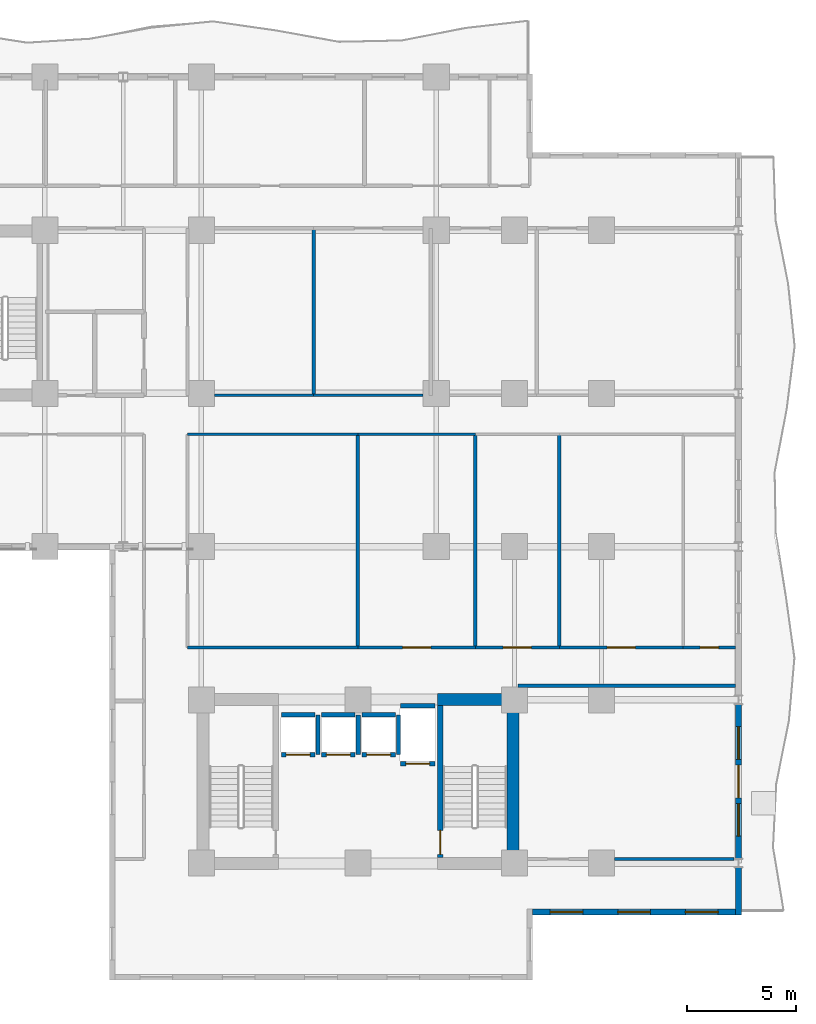
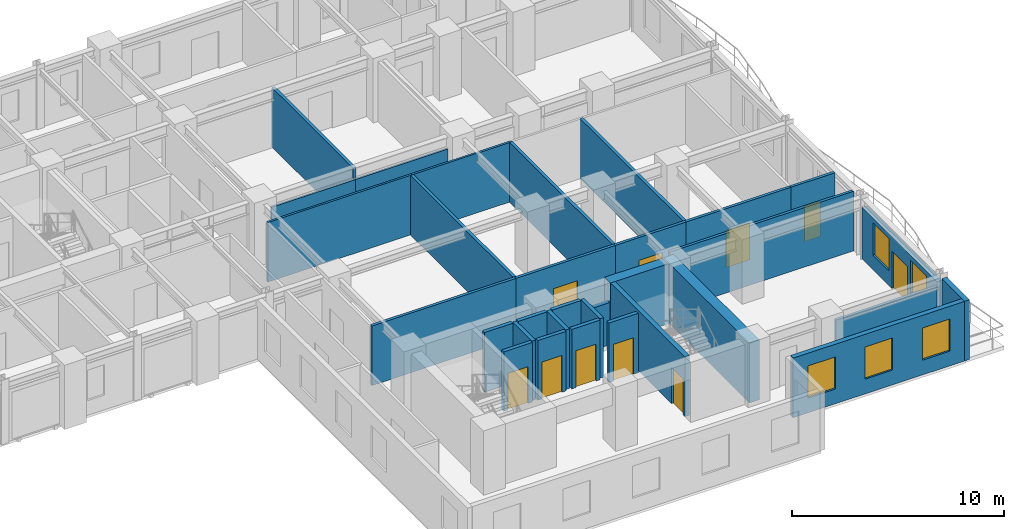
# One storey, part 5 of 11: 32 walls, 10 doors, 5 windows, 15 openings.
"""IFC4 building model written with IfcOpenShell, lengths in metres."""

from ifc_helpers import new_model, si_unit, direction, frame, frame_2d, origin, place, context, subcontext, project, spatial, rectangle, extrude, material, layer, layer_set, type_object, element, fill, save


model = new_model("IFC4")

# Units and contexts
model_context = context("Model", 3, precision=1e-05, world=origin(), true_north=direction((0.0, 1.0)))
body_context = subcontext(model_context, "Body", "Model", "MODEL_VIEW")
ifc_project = project(units=[si_unit("LENGTHUNIT", "METRE"), si_unit("AREAUNIT", "SQUARE_METRE"), si_unit("VOLUMEUNIT", "CUBIC_METRE"), si_unit("PLANEANGLEUNIT", "RADIAN"), si_unit("MASSUNIT", "GRAM", prefix="KILO")], contexts=[model_context])

# Site, building, storey
site_placement = place(None, origin())
site = spatial("IfcSite", under=ifc_project, at=site_placement, CompositionType="ELEMENT")
building_placement = place(site_placement, origin())
building = spatial("IfcBuilding", under=site, at=building_placement, Name="Kaliganga Portal Commons", CompositionType="ELEMENT")
storey_placement = place(building_placement, frame((0.0, 0.0, 111.89990234375)))
storey = spatial("IfcBuildingStorey", under=building, at=storey_placement, Name="L28", CompositionType="ELEMENT", Elevation=111.89990234375)

# Walls
ifc_material_1 = material(Name="Concrete C60/75", Category="concrete")
ifc_layer_1 = layer(ifc_material_1, 0.550048828125)
ifc_layer_set_1 = layer_set([ifc_layer_1], Name="Concrete C60/75")
wall_type_1 = type_object("IfcWallType", Name="WL-CORE-550", PredefinedType="SHEAR", material=ifc_layer_set_1)
wall_1_placement = place(storey_placement, frame((50.324951171875, 6.75, 0.0), z_axis=(0.0, 0.0, 1.0), x_axis=(0.0, 1.0, 0.0)))
element("IfcWall", 1, at=wall_1_placement, inside=storey, type_object=wall_type_1, Name="Core B East Shear Wall L28", PredefinedType="SHEAR", context=body_context, shape_type="SweptSolid", body=[
    extrude(rectangle(XDim=8.10009765625, YDim=0.550048828125, at=frame_2d((4.050048828125, 0.0))), origin(), (0.0, 0.0, 1.0), 3.4501953125),
])
wall_2_placement = place(storey_placement, frame((46.85009765625, 14.574951171875, 0.0), z_axis=(0.0, 0.0, 1.0), x_axis=(1.0, 0.0, 0.0)))
element("IfcWall", 2, at=wall_2_placement, inside=storey, type_object=wall_type_1, Name="Core B N-East Shear Wall L28", PredefinedType="SHEAR", context=body_context, shape_type="SweptSolid", body=[
    extrude(rectangle(XDim=3.199951171875, YDim=0.550048828125, at=frame_2d((1.60009765625, 0.0))), origin(), (0.0, 0.0, 1.0), 3.4501953125),
])

# Wall, openings, windows
ifc_material_2 = material(Name="Insulated Aluminium-Clad Spandrel Assembly", Category="aluminium")
ifc_layer_2 = layer(ifc_material_2, 0.260009765625)
ifc_layer_set_2 = layer_set([ifc_layer_2], Name="Insulated Aluminium-Clad Spandrel Assembly")
wall_type_2 = type_object("IfcWallType", Name="WL-EXT-SPAND-260", PredefinedType="STANDARD", material=ifc_layer_set_2)
wall_3_placement = place(storey_placement, frame((60.56494140625, 4.800048828125, 0.0), z_axis=(0.0, 0.0, 1.0), x_axis=(-1.0, 0.0, 0.0)))
wall_3 = element("IfcWall", 3, at=wall_3_placement, inside=storey, type_object=wall_type_2, Name="Exterior Envelope Wall L28 P1-E02-S1", PredefinedType="STANDARD", context=body_context, shape_type="SweptSolid", body=[
    extrude(rectangle(XDim=9.329833984375, YDim=0.260009765625, at=frame_2d((4.6650390625, 0.0))), origin(), (0.0, 0.0, 1.0), 3.43017578125),
])
opening_1_placement = place(wall_3_placement, frame((0.804931640625, 0.0, 0.85009765625)))
opening_1 = element("IfcOpeningElement", 4, at=opening_1_placement, cuts=wall_3, Name="Opening W-02", PredefinedType="OPENING", context=body_context, shape_type="SweptSolid", body=[
    extrude(rectangle(XDim=1.5, YDim=1.85009765625, at=frame_2d((0.75, 0.925048828125))), frame((0.0, 0.14013671875, 0.0), z_axis=(0.0, -1.0, 0.0), x_axis=(1.0, 0.0, 0.0)), (0.0, 0.0, 1.0), 0.280029296875),
])
opening_2_placement = place(wall_3_placement, frame((3.9150390625, 0.0, 0.85009765625)))
opening_2 = element("IfcOpeningElement", 5, at=opening_2_placement, cuts=wall_3, Name="Opening W-02", PredefinedType="OPENING", context=body_context, shape_type="SweptSolid", body=[
    extrude(rectangle(XDim=1.5, YDim=1.85009765625, at=frame_2d((0.75, 0.925048828125))), frame((0.0, 0.14013671875, 0.0), z_axis=(0.0, -1.0, 0.0), x_axis=(1.0, 0.0, 0.0)), (0.0, 0.0, 1.0), 0.280029296875),
])
opening_3_placement = place(wall_3_placement, frame((7.02490234375, 0.0, 0.85009765625)))
opening_3 = element("IfcOpeningElement", 6, at=opening_3_placement, cuts=wall_3, Name="Opening W-02", PredefinedType="OPENING", context=body_context, shape_type="SweptSolid", body=[
    extrude(rectangle(XDim=1.5, YDim=1.85009765625, at=frame_2d((0.75, 0.925048828125))), frame((0.0, 0.14013671875, 0.0), z_axis=(0.0, -1.0, 0.0), x_axis=(1.0, 0.0, 0.0)), (0.0, 0.0, 1.0), 0.280029296875),
])
ifc_material_3 = material(Name="Thermally Broken Aluminium and Low-E Double Glazing", Category="aluminium")
window_type = type_object("IfcWindowType", Name="WIN-STD-1500", PartitioningType="DOUBLE_PANEL_VERTICAL", PredefinedType="WINDOW", material=ifc_material_3)
window_1_placement = place(opening_1_placement, origin())
window_1 = element("IfcWindow", 7, at=window_1_placement, inside=storey, type_object=window_type, Name="Facade Window L28-P1E02S1-00", OverallHeight=1.85009765625, OverallWidth=1.5, PartitioningType="SINGLE_PANEL", PredefinedType="WINDOW", context=body_context, shape_type="SweptSolid", body=[
    extrude(rectangle(XDim=1.5, YDim=1.85009765625, at=frame_2d((0.75, 0.925048828125))), frame((0.0, 0.030029296875, 0.0), z_axis=(0.0, -1.0, 0.0), x_axis=(1.0, 0.0, 0.0)), (0.0, 0.0, 1.0), 0.06005859375),
])
fill(opening_1, window_1)
window_2_placement = place(opening_2_placement, origin())
window_2 = element("IfcWindow", 8, at=window_2_placement, inside=storey, type_object=window_type, Name="Facade Window L28-P1E02S1-01", OverallHeight=1.85009765625, OverallWidth=1.5, PartitioningType="SINGLE_PANEL", PredefinedType="WINDOW", context=body_context, shape_type="SweptSolid", body=[
    extrude(rectangle(XDim=1.5, YDim=1.85009765625, at=frame_2d((0.75, 0.925048828125))), frame((0.0, 0.030029296875, 0.0), z_axis=(0.0, -1.0, 0.0), x_axis=(1.0, 0.0, 0.0)), (0.0, 0.0, 1.0), 0.06005859375),
])
fill(opening_2, window_2)
window_3_placement = place(opening_3_placement, origin())
window_3 = element("IfcWindow", 9, at=window_3_placement, inside=storey, type_object=window_type, Name="Facade Window L28-P1E02S1-02", OverallHeight=1.85009765625, OverallWidth=1.5, PartitioningType="SINGLE_PANEL", PredefinedType="WINDOW", context=body_context, shape_type="SweptSolid", body=[
    extrude(rectangle(XDim=1.5, YDim=1.85009765625, at=frame_2d((0.75, 0.925048828125))), frame((0.0, 0.030029296875, 0.0), z_axis=(0.0, -1.0, 0.0), x_axis=(1.0, 0.0, 0.0)), (0.0, 0.0, 1.0), 0.06005859375),
])
fill(opening_3, window_3)

# Wall
wall_4_placement = place(storey_placement, frame((60.699951171875, 6.833984375, 0.0), z_axis=(0.0, 0.0, 1.0), x_axis=(0.0, -1.0, 0.0)))
element("IfcWall", 10, at=wall_4_placement, inside=storey, type_object=wall_type_2, Name="Exterior Envelope Wall L28 P1-E03-S1", PredefinedType="STANDARD", context=body_context, shape_type="SweptSolid", body=[
    extrude(rectangle(XDim=2.1640625, YDim=0.260009765625, at=frame_2d((1.08203125, 0.0))), origin(), (0.0, 0.0, 1.0), 3.43017578125),
])

# Wall, openings, door, windows
wall_5_placement = place(storey_placement, frame((60.699951171875, 14.333984375, 0.0), z_axis=(0.0, 0.0, 1.0), x_axis=(0.0, -1.0, 0.0)))
wall_5 = element("IfcWall", 11, at=wall_5_placement, inside=storey, type_object=wall_type_2, Name="Exterior Envelope Wall L28 P1-E03-S2", PredefinedType="STANDARD", context=body_context, shape_type="SweptSolid", body=[
    extrude(rectangle(XDim=7.06787109375, YDim=0.260009765625, at=frame_2d((3.533935546875, 0.0))), origin(), (0.0, 0.0, 1.0), 2.97998046875),
])
opening_4_placement = place(wall_5_placement, frame((2.783935546875, 0.0, 0.0)))
opening_4 = element("IfcOpeningElement", 12, at=opening_4_placement, cuts=wall_5, Name="Opening BD-01", PredefinedType="OPENING", context=body_context, shape_type="SweptSolid", body=[
    extrude(rectangle(XDim=1.5, YDim=2.14990234375, at=frame_2d((0.75, 1.074951171875))), frame((0.0, 0.14013671875, 0.0), z_axis=(0.0, -1.0, 0.0), x_axis=(1.0, 0.0, 0.0)), (0.0, 0.0, 1.0), 0.280029296875),
])
opening_5_placement = place(wall_5_placement, frame((1.01708984375, 0.0, 0.85009765625)))
opening_5 = element("IfcOpeningElement", 13, at=opening_5_placement, cuts=wall_5, Name="Opening W-02", PredefinedType="OPENING", context=body_context, shape_type="SweptSolid", body=[
    extrude(rectangle(XDim=1.5, YDim=1.85009765625, at=frame_2d((0.75, 0.925048828125))), frame((0.0, 0.14013671875, 0.0), z_axis=(0.0, -1.0, 0.0), x_axis=(1.0, 0.0, 0.0)), (0.0, 0.0, 1.0), 0.280029296875),
])
opening_6_placement = place(wall_5_placement, frame((4.551025390625, 0.0, 0.85009765625)))
opening_6 = element("IfcOpeningElement", 14, at=opening_6_placement, cuts=wall_5, Name="Opening W-02", PredefinedType="OPENING", context=body_context, shape_type="SweptSolid", body=[
    extrude(rectangle(XDim=1.5, YDim=1.85009765625, at=frame_2d((0.75, 0.925048828125))), frame((0.0, 0.14013671875, 0.0), z_axis=(0.0, -1.0, 0.0), x_axis=(1.0, 0.0, 0.0)), (0.0, 0.0, 1.0), 0.280029296875),
])
ifc_material_4 = material(Name="Anodized Aluminium and Laminated Safety Glass", Category="aluminium")
door_type_1 = type_object("IfcDoorType", Name="DR-BALC-1500", OperationType="SLIDING_TO_LEFT", PredefinedType="DOOR", material=ifc_material_4)
door_1_placement = place(opening_4_placement, origin())
door_1 = element("IfcDoor", 15, at=door_1_placement, inside=storey, type_object=door_type_1, Name="Balcony Sliding Door L28 balc_east", OperationType="SLIDING_TO_LEFT", OverallHeight=2.14990234375, OverallWidth=1.5, PredefinedType="DOOR", context=body_context, shape_type="SweptSolid", body=[
    extrude(rectangle(XDim=1.5, YDim=2.14990234375, at=frame_2d((0.75, 1.074951171875))), frame((0.0, 0.02490234375, 0.0), z_axis=(0.0, -1.0, 0.0), x_axis=(1.0, 0.0, 0.0)), (0.0, 0.0, 1.0), 0.050048828125),
])
fill(opening_4, door_1)
window_4_placement = place(opening_5_placement, origin())
window_4 = element("IfcWindow", 16, at=window_4_placement, inside=storey, type_object=window_type, Name="Facade Window L28-P1E03S2-00", OverallHeight=1.85009765625, OverallWidth=1.5, PartitioningType="SINGLE_PANEL", PredefinedType="WINDOW", context=body_context, shape_type="SweptSolid", body=[
    extrude(rectangle(XDim=1.5, YDim=1.85009765625, at=frame_2d((0.75, 0.925048828125))), frame((0.0, 0.030029296875, 0.0), z_axis=(0.0, -1.0, 0.0), x_axis=(1.0, 0.0, 0.0)), (0.0, 0.0, 1.0), 0.06005859375),
])
fill(opening_5, window_4)
window_5_placement = place(opening_6_placement, origin())
window_5 = element("IfcWindow", 17, at=window_5_placement, inside=storey, type_object=window_type, Name="Facade Window L28-P1E03S2-01", OverallHeight=1.85009765625, OverallWidth=1.5, PartitioningType="SINGLE_PANEL", PredefinedType="WINDOW", context=body_context, shape_type="SweptSolid", body=[
    extrude(rectangle(XDim=1.5, YDim=1.85009765625, at=frame_2d((0.75, 0.925048828125))), frame((0.0, 0.030029296875, 0.0), z_axis=(0.0, -1.0, 0.0), x_axis=(1.0, 0.0, 0.0)), (0.0, 0.0, 1.0), 0.06005859375),
])
fill(opening_6, window_5)

# Walls
ifc_material_5 = material(Name="Fire-Rated Gypsum Board on Steel Stud", Category="steel")
ifc_layer_3 = layer(ifc_material_5, 0.14990234375)
ifc_layer_set_3 = layer_set([ifc_layer_3], Name="Fire-Rated Gypsum Board on Steel Stud")
wall_type_3 = type_object("IfcWallType", Name="WL-PART-CORR-150", PredefinedType="PARTITIONING", material=ifc_layer_set_3)
wall_6_placement = place(storey_placement, frame((55.0, 7.239990234375, 0.0), z_axis=(0.0, 0.0, 1.0), x_axis=(1.0, 0.0, 0.0)))
element("IfcWall", 18, at=wall_6_placement, inside=storey, type_object=wall_type_3, Name="Interior Partition L28-002", PredefinedType="PARTITIONING", context=body_context, shape_type="SweptSolid", body=[
    extrude(rectangle(XDim=5.49560546875, YDim=0.14990234375, at=frame_2d((2.747802734375, 0.0))), origin(), (0.0, 0.0, 1.0), 2.780029296875),
])
wall_7_placement = place(storey_placement, frame((50.56005859375, 15.199951171875, 0.0), z_axis=(0.0, 0.0, 1.0), x_axis=(1.0, 0.0, 0.0)))
element("IfcWall", 19, at=wall_7_placement, inside=storey, type_object=wall_type_3, Name="Interior Partition L28-003", PredefinedType="PARTITIONING", context=body_context, shape_type="SweptSolid", body=[
    extrude(rectangle(XDim=10.008056640625, YDim=0.14990234375, at=frame_2d((5.00390625, 0.0))), origin(), (0.0, 0.0, 1.0), 3.43017578125),
])
wall_8_placement = place(storey_placement, frame((35.360107421875, 16.9599609375, 0.0), z_axis=(0.0, 0.0, 1.0), x_axis=(1.0, 0.0, 0.0)))
element("IfcWall", 20, at=wall_8_placement, inside=storey, type_object=wall_type_3, Name="Interior Partition L28-009", PredefinedType="PARTITIONING", context=body_context, shape_type="SweptSolid", body=[
    extrude(rectangle(XDim=7.83984375, YDim=0.14990234375, at=frame_2d((3.919921875, 0.0))), origin(), (0.0, 0.0, 1.0), 3.43017578125),
])

# Wall, opening, door
wall_9_placement = place(storey_placement, frame((52.4599609375, 16.9599609375, 0.0), z_axis=(0.0, 0.0, 1.0), x_axis=(1.0, 0.0, 0.0)))
wall_9 = element("IfcWall", 21, at=wall_9_placement, inside=storey, type_object=wall_type_3, Name="Interior Partition L28-019", PredefinedType="PARTITIONING", context=body_context, shape_type="SweptSolid", body=[
    extrude(rectangle(XDim=5.699951171875, YDim=0.14990234375, at=frame_2d((2.85009765625, 0.0))), origin(), (0.0, 0.0, 1.0), 3.43017578125),
])
opening_7_placement = place(wall_9_placement, frame((2.199951171875, 0.0, 0.0)))
opening_7 = element("IfcOpeningElement", 22, at=opening_7_placement, cuts=wall_9, Name="Opening RD-03", PredefinedType="OPENING", context=body_context, shape_type="SweptSolid", body=[
    extrude(rectangle(XDim=1.300048828125, YDim=2.1201171875, at=frame_2d((0.64990234375, 1.06005859375))), frame((0.0, 0.0849609375, 0.0), z_axis=(0.0, -1.0, 0.0), x_axis=(1.0, 0.0, 0.0)), (0.0, 0.0, 1.0), 0.169921875),
])
ifc_material_6 = material(Name="Glazed Timber Seminar Vision Door", Category="wood")
door_type_2 = type_object("IfcDoorType", Name="DR-STUDY-1300", OperationType="DOUBLE_DOOR_SINGLE_SWING", PredefinedType="DOOR", material=ifc_material_6)
door_2_placement = place(opening_7_placement, origin())
door_2 = element("IfcDoor", 23, at=door_2_placement, inside=storey, type_object=door_type_2, Name="Interior Door L28-BM03", OperationType="DOUBLE_DOOR_SINGLE_SWING", OverallHeight=2.1201171875, OverallWidth=1.300048828125, PredefinedType="DOOR", context=body_context, shape_type="SweptSolid", body=[
    extrude(rectangle(XDim=1.300048828125, YDim=2.1201171875, at=frame_2d((0.64990234375, 1.06005859375))), frame((0.0, 0.02490234375, 0.0), z_axis=(0.0, -1.0, 0.0), x_axis=(1.0, 0.0, 0.0)), (0.0, 0.0, 1.0), 0.050048828125),
])
fill(opening_7, door_2)

wall_10_placement = place(storey_placement, frame((43.199951171875, 16.9599609375, 0.0), z_axis=(0.0, 0.0, 1.0), x_axis=(1.0, 0.0, 0.0)))
wall_10 = element("IfcWall", 24, at=wall_10_placement, inside=storey, type_object=wall_type_3, Name="Interior Partition L28-020", PredefinedType="PARTITIONING", context=body_context, shape_type="SweptSolid", body=[
    extrude(rectangle(XDim=5.400146484375, YDim=0.14990234375, at=frame_2d((2.7001953125, 0.0))), origin(), (0.0, 0.0, 1.0), 3.43017578125),
])
opening_8_placement = place(wall_10_placement, frame((2.050048828125, 0.0, 0.0)))
opening_8 = element("IfcOpeningElement", 25, at=opening_8_placement, cuts=wall_10, Name="Opening RD-03", PredefinedType="OPENING", context=body_context, shape_type="SweptSolid", body=[
    extrude(rectangle(XDim=1.300048828125, YDim=2.1201171875, at=frame_2d((0.64990234375, 1.06005859375))), frame((0.0, 0.0849609375, 0.0), z_axis=(0.0, -1.0, 0.0), x_axis=(1.0, 0.0, 0.0)), (0.0, 0.0, 1.0), 0.169921875),
])
door_3_placement = place(opening_8_placement, origin())
door_3 = element("IfcDoor", 26, at=door_3_placement, inside=storey, type_object=door_type_2, Name="Interior Door L28-BM02", OperationType="DOUBLE_DOOR_SINGLE_SWING", OverallHeight=2.1201171875, OverallWidth=1.300048828125, PredefinedType="DOOR", context=body_context, shape_type="SweptSolid", body=[
    extrude(rectangle(XDim=1.300048828125, YDim=2.1201171875, at=frame_2d((0.64990234375, 1.06005859375))), frame((0.0, 0.02490234375, 0.0), z_axis=(0.0, -1.0, 0.0), x_axis=(1.0, 0.0, 0.0)), (0.0, 0.0, 1.0), 0.050048828125),
])
fill(opening_8, door_3)

wall_11_placement = place(storey_placement, frame((48.60009765625, 16.9599609375, 0.0), z_axis=(0.0, 0.0, 1.0), x_axis=(1.0, 0.0, 0.0)))
wall_11 = element("IfcWall", 27, at=wall_11_placement, inside=storey, type_object=wall_type_3, Name="Interior Partition L28-027", PredefinedType="PARTITIONING", context=body_context, shape_type="SweptSolid", body=[
    extrude(rectangle(XDim=3.85986328125, YDim=0.14990234375, at=frame_2d((1.929931640625, 0.0))), origin(), (0.0, 0.0, 1.0), 3.43017578125),
])
opening_9_placement = place(wall_11_placement, frame((1.280029296875, 0.0, 0.0)))
opening_9 = element("IfcOpeningElement", 28, at=opening_9_placement, cuts=wall_11, Name="Opening RD-03", PredefinedType="OPENING", context=body_context, shape_type="SweptSolid", body=[
    extrude(rectangle(XDim=1.300048828125, YDim=2.1201171875, at=frame_2d((0.64990234375, 1.06005859375))), frame((0.0, 0.0849609375, 0.0), z_axis=(0.0, -1.0, 0.0), x_axis=(1.0, 0.0, 0.0)), (0.0, 0.0, 1.0), 0.169921875),
])
door_4_placement = place(opening_9_placement, origin())
door_4 = element("IfcDoor", 29, at=door_4_placement, inside=storey, type_object=door_type_2, Name="Interior Door L28-BM02B", OperationType="DOUBLE_DOOR_SINGLE_SWING", OverallHeight=2.1201171875, OverallWidth=1.300048828125, PredefinedType="DOOR", context=body_context, shape_type="SweptSolid", body=[
    extrude(rectangle(XDim=1.300048828125, YDim=2.1201171875, at=frame_2d((0.64990234375, 1.06005859375))), frame((0.0, 0.02490234375, 0.0), z_axis=(0.0, -1.0, 0.0), x_axis=(1.0, 0.0, 0.0)), (0.0, 0.0, 1.0), 0.050048828125),
])
fill(opening_9, door_4)

wall_12_placement = place(storey_placement, frame((58.159912109375, 16.9599609375, 0.0), z_axis=(0.0, 0.0, 1.0), x_axis=(1.0, 0.0, 0.0)))
wall_12 = element("IfcWall", 30, at=wall_12_placement, inside=storey, type_object=wall_type_3, Name="Interior Partition L28-033", PredefinedType="PARTITIONING", context=body_context, shape_type="SweptSolid", body=[
    extrude(rectangle(XDim=2.408203125, YDim=0.14990234375, at=frame_2d((1.2041015625, 0.0))), origin(), (0.0, 0.0, 1.0), 3.43017578125),
])
opening_10_placement = place(wall_12_placement, frame((0.779052734375, 0.0, 0.0)))
opening_10 = element("IfcOpeningElement", 31, at=opening_10_placement, cuts=wall_12, Name="Opening WD-01", PredefinedType="OPENING", context=body_context, shape_type="SweptSolid", body=[
    extrude(rectangle(XDim=0.85009765625, YDim=2.0400390625, at=frame_2d((0.425048828125, 1.02001953125))), frame((0.0, 0.0849609375, 0.0), z_axis=(0.0, -1.0, 0.0), x_axis=(1.0, 0.0, 0.0)), (0.0, 0.0, 1.0), 0.169921875),
])
ifc_material_7 = material(Name="Moisture-Resistant Laminate Timber Door", Category="wood")
door_type_3 = type_object("IfcDoorType", Name="DR-WET-850", OperationType="NOTDEFINED", PredefinedType="DOOR", material=ifc_material_7)
door_5_placement = place(opening_10_placement, origin())
door_5 = element("IfcDoor", 32, at=door_5_placement, inside=storey, type_object=door_type_3, Name="Interior Door L28-BM04", OperationType="SINGLE_SWING_RIGHT", OverallHeight=2.0400390625, OverallWidth=0.85009765625, PredefinedType="DOOR", context=body_context, shape_type="SweptSolid", body=[
    extrude(rectangle(XDim=0.85009765625, YDim=2.0400390625, at=frame_2d((0.425048828125, 1.02001953125))), frame((0.0, 0.02490234375, 0.0), z_axis=(0.0, -1.0, 0.0), x_axis=(1.0, 0.0, 0.0)), (0.0, 0.0, 1.0), 0.050048828125),
])
fill(opening_10, door_5)

# Walls
ifc_material_8 = material(Name="Moisture-Resistant Gypsum Partition", Category="gypsum")
ifc_layer_4 = layer(ifc_material_8, 0.114990234375)
ifc_layer_set_4 = layer_set([ifc_layer_4], Name="Moisture-Resistant Gypsum Partition")
wall_type_4 = type_object("IfcWallType", Name="WL-PART-ROOM-115", PredefinedType="PARTITIONING", material=ifc_layer_set_4)
wall_13_placement = place(storey_placement, frame((35.360107421875, 26.760009765625, 0.0), z_axis=(0.0, 0.0, 1.0), x_axis=(1.0, 0.0, 0.0)))
element("IfcWall", 33, at=wall_13_placement, inside=storey, type_object=wall_type_4, Name="Interior Partition L28-049", PredefinedType="PARTITIONING", context=body_context, shape_type="SweptSolid", body=[
    extrude(rectangle(XDim=7.83984375, YDim=0.114990234375, at=frame_2d((3.919921875, 0.0))), origin(), (0.0, 0.0, 1.0), 3.43017578125),
])
wall_14_placement = place(storey_placement, frame((36.60009765625, 28.56005859375, 0.0), z_axis=(0.0, 0.0, 1.0), x_axis=(1.0, 0.0, 0.0)))
element("IfcWall", 34, at=wall_14_placement, inside=storey, type_object=wall_type_4, Name="Interior Partition L28-053", PredefinedType="PARTITIONING", context=body_context, shape_type="SweptSolid", body=[
    extrude(rectangle(XDim=4.559814453125, YDim=0.114990234375, at=frame_2d((2.27978515625, 0.0))), origin(), (0.0, 0.0, 1.0), 2.780029296875),
])
wall_15_placement = place(storey_placement, frame((43.199951171875, 26.760009765625, 0.0), z_axis=(0.0, 0.0, 1.0), x_axis=(1.0, 0.0, 0.0)))
element("IfcWall", 35, at=wall_15_placement, inside=storey, type_object=wall_type_4, Name="Interior Partition L28-055", PredefinedType="PARTITIONING", context=body_context, shape_type="SweptSolid", body=[
    extrude(rectangle(XDim=5.400146484375, YDim=0.114990234375, at=frame_2d((2.7001953125, 0.0))), origin(), (0.0, 0.0, 1.0), 3.43017578125),
])
wall_16_placement = place(storey_placement, frame((41.159912109375, 28.56005859375, 0.0), z_axis=(0.0, 0.0, 1.0), x_axis=(1.0, 0.0, 0.0)))
element("IfcWall", 36, at=wall_16_placement, inside=storey, type_object=wall_type_4, Name="Interior Partition L28-056", PredefinedType="PARTITIONING", context=body_context, shape_type="SweptSolid", body=[
    extrude(rectangle(XDim=5.0400390625, YDim=0.114990234375, at=frame_2d((2.52001953125, 0.0))), origin(), (0.0, 0.0, 1.0), 2.780029296875),
])
ifc_material_9 = material(Name="Twin-Stud Acoustic Gypsum Partition", Category="gypsum")
ifc_layer_5 = layer(ifc_material_9, 0.1650390625)
ifc_layer_set_5 = layer_set([ifc_layer_5], Name="Twin-Stud Acoustic Gypsum Partition")
wall_type_5 = type_object("IfcWallType", Name="WL-PART-UNIT-165", PredefinedType="PARTITIONING", material=ifc_layer_set_5)
for number, where, z_axis, x_axis, name in (
    (37, (43.199951171875, 16.9599609375, 0.0), (0.0, 0.0, 1.0), (0.0, 1.0, 0.0), "Interior Partition L28-043"),
    (38, (48.60009765625, 16.9599609375, 0.0), (0.0, 0.0, 1.0), (0.0, 1.0, 0.0), "Interior Partition L28-044"),
    (39, (52.4599609375, 16.9599609375, 0.0), (0.0, 0.0, 1.0), (0.0, 1.0, 0.0), "Interior Partition L28-045"),
):
    element("IfcWall", number, at=place(storey_placement, frame(where, z_axis=z_axis, x_axis=x_axis)), inside=storey, type_object=wall_type_5, Name=name, PredefinedType="PARTITIONING", context=body_context, shape_type="SweptSolid", body=[
        extrude(rectangle(XDim=9.800048828125, YDim=0.1650390625, at=frame_2d((4.89990234375, 0.0))), origin(), (0.0, 0.0, 1.0), 3.43017578125),
    ])
wall_17_placement = place(storey_placement, frame((41.159912109375, 28.56005859375, 0.0), z_axis=(0.0, 0.0, 1.0), x_axis=(0.0, 1.0, 0.0)))
element("IfcWall", 40, at=wall_17_placement, inside=storey, type_object=wall_type_5, Name="Interior Partition L28-050", PredefinedType="PARTITIONING", context=body_context, shape_type="SweptSolid", body=[
    extrude(rectangle(XDim=7.679931640625, YDim=0.1650390625, at=frame_2d((3.83984375, 0.0))), origin(), (0.0, 0.0, 1.0), 3.43017578125),
])

# Wall, opening, door
ifc_material_10 = material(Name="Fire-Rated Shaftwall Masonry Assembly", Category="masonry")
ifc_layer_6 = layer(ifc_material_10, 0.199951171875)
ifc_layer_set_6 = layer_set([ifc_layer_6], Name="Fire-Rated Shaftwall Masonry Assembly")
wall_type_6 = type_object("IfcWallType", Name="WL-SHAFT-200", PredefinedType="PARTITIONING", material=ifc_layer_set_6)
wall_18_placement = place(storey_placement, frame((39.675048828125, 12.034912109375, 0.0), z_axis=(0.0, 0.0, 1.0), x_axis=(1.0, 0.0, 0.0)))
wall_18 = element("IfcWall", 41, at=wall_18_placement, inside=storey, type_object=wall_type_6, Name="Lift PL-B1 Hoistway Shaft Wall L28-S", PredefinedType="PARTITIONING", context=body_context, shape_type="SweptSolid", body=[
    extrude(rectangle(XDim=1.550048828125, YDim=0.199951171875, at=frame_2d((0.77490234375, 0.0))), origin(), (0.0, 0.0, 1.0), 3.43017578125),
])
opening_11_placement = place(wall_18_placement, frame((0.22509765625, 0.0, 0.0)))
opening_11 = element("IfcOpeningElement", 42, at=opening_11_placement, cuts=wall_18, Name="Opening LD-01", PredefinedType="OPENING", context=body_context, shape_type="SweptSolid", body=[
    extrude(rectangle(XDim=1.10009765625, YDim=2.1201171875, at=frame_2d((0.550048828125, 1.06005859375))), frame((0.0, 0.10986328125, 0.0), z_axis=(0.0, -1.0, 0.0), x_axis=(1.0, 0.0, 0.0)), (0.0, 0.0, 1.0), 0.219970703125),
])
ifc_material_11 = material(Name="Brushed Stainless Steel 316 Lift Landing Door", Category="steel")
door_type_4 = type_object("IfcDoorType", Name="DR-LIFT-1100", OperationType="SLIDING_TO_LEFT", PredefinedType="DOOR", material=ifc_material_11)
door_6_placement = place(opening_11_placement, origin())
door_6 = element("IfcDoor", 43, at=door_6_placement, inside=storey, type_object=door_type_4, Name="Lift PL-B1 Sliding Landing Door L28", OperationType="SLIDING_TO_LEFT", OverallHeight=2.1201171875, OverallWidth=1.10009765625, PredefinedType="DOOR", context=body_context, shape_type="SweptSolid", body=[
    extrude(rectangle(XDim=1.10009765625, YDim=2.1201171875, at=frame_2d((0.550048828125, 1.06005859375))), frame((0.0, 0.02490234375, 0.0), z_axis=(0.0, -1.0, 0.0), x_axis=(1.0, 0.0, 0.0)), (0.0, 0.0, 1.0), 0.050048828125),
])
fill(opening_11, door_6)

# Walls
wall_19_placement = place(storey_placement, frame((39.675048828125, 13.864990234375, 0.0), z_axis=(0.0, 0.0, 1.0), x_axis=(1.0, 0.0, 0.0)))
element("IfcWall", 44, at=wall_19_placement, inside=storey, type_object=wall_type_6, Name="Lift PL-B1 Hoistway Shaft Wall L28-N", PredefinedType="PARTITIONING", context=body_context, shape_type="SweptSolid", body=[
    extrude(rectangle(XDim=1.550048828125, YDim=0.199951171875, at=frame_2d((0.77490234375, 0.0))), origin(), (0.0, 0.0, 1.0), 3.43017578125),
])
wall_20_placement = place(storey_placement, frame((41.364990234375, 12.034912109375, 0.0), z_axis=(0.0, 0.0, 1.0), x_axis=(0.0, 1.0, 0.0)))
element("IfcWall", 45, at=wall_20_placement, inside=storey, type_object=wall_type_6, Name="Lift PL-B1 Hoistway Shaft Wall L28-E", PredefinedType="PARTITIONING", context=body_context, shape_type="SweptSolid", body=[
    extrude(rectangle(XDim=1.830078125, YDim=0.199951171875, at=frame_2d((0.9150390625, 0.0))), origin(), (0.0, 0.0, 1.0), 3.43017578125),
])

# Wall, opening, door
wall_21_placement = place(storey_placement, frame((41.52490234375, 12.034912109375, 0.0), z_axis=(0.0, 0.0, 1.0), x_axis=(1.0, 0.0, 0.0)))
wall_21 = element("IfcWall", 46, at=wall_21_placement, inside=storey, type_object=wall_type_6, Name="Lift PL-B2 Hoistway Shaft Wall L28-S", PredefinedType="PARTITIONING", context=body_context, shape_type="SweptSolid", body=[
    extrude(rectangle(XDim=1.550048828125, YDim=0.199951171875, at=frame_2d((0.77490234375, 0.0))), origin(), (0.0, 0.0, 1.0), 3.43017578125),
])
opening_12_placement = place(wall_21_placement, frame((0.22509765625, 0.0, 0.0)))
opening_12 = element("IfcOpeningElement", 47, at=opening_12_placement, cuts=wall_21, Name="Opening LD-01", PredefinedType="OPENING", context=body_context, shape_type="SweptSolid", body=[
    extrude(rectangle(XDim=1.10009765625, YDim=2.1201171875, at=frame_2d((0.550048828125, 1.06005859375))), frame((0.0, 0.10986328125, 0.0), z_axis=(0.0, -1.0, 0.0), x_axis=(1.0, 0.0, 0.0)), (0.0, 0.0, 1.0), 0.219970703125),
])
door_7_placement = place(opening_12_placement, origin())
door_7 = element("IfcDoor", 48, at=door_7_placement, inside=storey, type_object=door_type_4, Name="Lift PL-B2 Sliding Landing Door L28", OperationType="SLIDING_TO_LEFT", OverallHeight=2.1201171875, OverallWidth=1.10009765625, PredefinedType="DOOR", context=body_context, shape_type="SweptSolid", body=[
    extrude(rectangle(XDim=1.10009765625, YDim=2.1201171875, at=frame_2d((0.550048828125, 1.06005859375))), frame((0.0, 0.02490234375, 0.0), z_axis=(0.0, -1.0, 0.0), x_axis=(1.0, 0.0, 0.0)), (0.0, 0.0, 1.0), 0.050048828125),
])
fill(opening_12, door_7)

# Walls
wall_22_placement = place(storey_placement, frame((41.52490234375, 13.864990234375, 0.0), z_axis=(0.0, 0.0, 1.0), x_axis=(1.0, 0.0, 0.0)))
element("IfcWall", 49, at=wall_22_placement, inside=storey, type_object=wall_type_6, Name="Lift PL-B2 Hoistway Shaft Wall L28-N", PredefinedType="PARTITIONING", context=body_context, shape_type="SweptSolid", body=[
    extrude(rectangle(XDim=1.550048828125, YDim=0.199951171875, at=frame_2d((0.77490234375, 0.0))), origin(), (0.0, 0.0, 1.0), 3.43017578125),
])
wall_23_placement = place(storey_placement, frame((43.215087890625, 12.034912109375, 0.0), z_axis=(0.0, 0.0, 1.0), x_axis=(0.0, 1.0, 0.0)))
element("IfcWall", 50, at=wall_23_placement, inside=storey, type_object=wall_type_6, Name="Lift PL-B2 Hoistway Shaft Wall L28-E", PredefinedType="PARTITIONING", context=body_context, shape_type="SweptSolid", body=[
    extrude(rectangle(XDim=1.830078125, YDim=0.199951171875, at=frame_2d((0.9150390625, 0.0))), origin(), (0.0, 0.0, 1.0), 3.43017578125),
])

# Wall, opening, door
wall_24_placement = place(storey_placement, frame((43.375, 12.034912109375, 0.0), z_axis=(0.0, 0.0, 1.0), x_axis=(1.0, 0.0, 0.0)))
wall_24 = element("IfcWall", 51, at=wall_24_placement, inside=storey, type_object=wall_type_6, Name="Lift SH-2 Hoistway Shaft Wall L28-S", PredefinedType="PARTITIONING", context=body_context, shape_type="SweptSolid", body=[
    extrude(rectangle(XDim=1.550048828125, YDim=0.199951171875, at=frame_2d((0.77490234375, 0.0))), origin(), (0.0, 0.0, 1.0), 3.43017578125),
])
opening_13_placement = place(wall_24_placement, frame((0.22509765625, 0.0, 0.0)))
opening_13 = element("IfcOpeningElement", 52, at=opening_13_placement, cuts=wall_24, Name="Opening LD-01", PredefinedType="OPENING", context=body_context, shape_type="SweptSolid", body=[
    extrude(rectangle(XDim=1.10009765625, YDim=2.1201171875, at=frame_2d((0.550048828125, 1.06005859375))), frame((0.0, 0.10986328125, 0.0), z_axis=(0.0, -1.0, 0.0), x_axis=(1.0, 0.0, 0.0)), (0.0, 0.0, 1.0), 0.219970703125),
])
door_8_placement = place(opening_13_placement, origin())
door_8 = element("IfcDoor", 53, at=door_8_placement, inside=storey, type_object=door_type_4, Name="Lift SH-2 Sliding Landing Door L28", OperationType="SLIDING_TO_LEFT", OverallHeight=2.1201171875, OverallWidth=1.10009765625, PredefinedType="DOOR", context=body_context, shape_type="SweptSolid", body=[
    extrude(rectangle(XDim=1.10009765625, YDim=2.1201171875, at=frame_2d((0.550048828125, 1.06005859375))), frame((0.0, 0.02490234375, 0.0), z_axis=(0.0, -1.0, 0.0), x_axis=(1.0, 0.0, 0.0)), (0.0, 0.0, 1.0), 0.050048828125),
])
fill(opening_13, door_8)

# Walls
wall_25_placement = place(storey_placement, frame((43.375, 13.864990234375, 0.0), z_axis=(0.0, 0.0, 1.0), x_axis=(1.0, 0.0, 0.0)))
element("IfcWall", 54, at=wall_25_placement, inside=storey, type_object=wall_type_6, Name="Lift SH-2 Hoistway Shaft Wall L28-N", PredefinedType="PARTITIONING", context=body_context, shape_type="SweptSolid", body=[
    extrude(rectangle(XDim=1.550048828125, YDim=0.199951171875, at=frame_2d((0.77490234375, 0.0))), origin(), (0.0, 0.0, 1.0), 3.43017578125),
])
wall_26_placement = place(storey_placement, frame((45.06494140625, 12.034912109375, 0.0), z_axis=(0.0, 0.0, 1.0), x_axis=(0.0, 1.0, 0.0)))
element("IfcWall", 55, at=wall_26_placement, inside=storey, type_object=wall_type_6, Name="Lift SH-2 Hoistway Shaft Wall L28-E", PredefinedType="PARTITIONING", context=body_context, shape_type="SweptSolid", body=[
    extrude(rectangle(XDim=1.830078125, YDim=0.199951171875, at=frame_2d((0.9150390625, 0.0))), origin(), (0.0, 0.0, 1.0), 3.43017578125),
])

# Wall, opening, door
wall_27_placement = place(storey_placement, frame((45.14990234375, 11.610107421875, 0.0), z_axis=(0.0, 0.0, 1.0), x_axis=(1.0, 0.0, 0.0)))
wall_27 = element("IfcWall", 56, at=wall_27_placement, inside=storey, type_object=wall_type_6, Name="Lift SL-B1 Hoistway Shaft Wall L28-S", PredefinedType="PARTITIONING", context=body_context, shape_type="SweptSolid", body=[
    extrude(rectangle(XDim=1.60009765625, YDim=0.199951171875, at=frame_2d((0.800048828125, 0.0))), origin(), (0.0, 0.0, 1.0), 3.43017578125),
])
opening_14_placement = place(wall_27_placement, frame((0.25, 0.0, 0.0)))
opening_14 = element("IfcOpeningElement", 57, at=opening_14_placement, cuts=wall_27, Name="Opening LD-01", PredefinedType="OPENING", context=body_context, shape_type="SweptSolid", body=[
    extrude(rectangle(XDim=1.10009765625, YDim=2.1201171875, at=frame_2d((0.550048828125, 1.06005859375))), frame((0.0, 0.10986328125, 0.0), z_axis=(0.0, -1.0, 0.0), x_axis=(1.0, 0.0, 0.0)), (0.0, 0.0, 1.0), 0.219970703125),
])
door_9_placement = place(opening_14_placement, origin())
door_9 = element("IfcDoor", 58, at=door_9_placement, inside=storey, type_object=door_type_4, Name="Lift SL-B1 Sliding Landing Door L28", OperationType="SLIDING_TO_LEFT", OverallHeight=2.1201171875, OverallWidth=1.10009765625, PredefinedType="DOOR", context=body_context, shape_type="SweptSolid", body=[
    extrude(rectangle(XDim=1.10009765625, YDim=2.1201171875, at=frame_2d((0.550048828125, 1.06005859375))), frame((0.0, 0.02490234375, 0.0), z_axis=(0.0, -1.0, 0.0), x_axis=(1.0, 0.0, 0.0)), (0.0, 0.0, 1.0), 0.050048828125),
])
fill(opening_14, door_9)

# Wall
wall_28_placement = place(storey_placement, frame((45.14990234375, 14.2900390625, 0.0), z_axis=(0.0, 0.0, 1.0), x_axis=(1.0, 0.0, 0.0)))
element("IfcWall", 59, at=wall_28_placement, inside=storey, type_object=wall_type_6, Name="Lift SL-B1 Hoistway Shaft Wall L28-N", PredefinedType="PARTITIONING", context=body_context, shape_type="SweptSolid", body=[
    extrude(rectangle(XDim=1.60009765625, YDim=0.199951171875, at=frame_2d((0.800048828125, 0.0))), origin(), (0.0, 0.0, 1.0), 2.43017578125),
])

# Wall, opening, door
ifc_material_12 = material(Name="Concrete C50/60", Category="concrete")
ifc_layer_7 = layer(ifc_material_12, 0.25)
ifc_layer_set_7 = layer_set([ifc_layer_7], Name="Concrete C50/60")
wall_type_7 = type_object("IfcWallType", Name="WL-STAIR-250", PredefinedType="SHEAR", material=ifc_layer_set_7)
wall_29_placement = place(storey_placement, frame((46.97509765625, 7.300048828125, 0.0), z_axis=(0.0, 0.0, 1.0), x_axis=(0.0, 1.0, 0.0)))
wall_29 = element("IfcWall", 60, at=wall_29_placement, inside=storey, type_object=wall_type_7, Name="Stair B2 Enclosure Shear Wall L28", PredefinedType="SHEAR", context=body_context, shape_type="SweptSolid", body=[
    extrude(rectangle(XDim=7.0, YDim=0.25, at=frame_2d((3.5, 0.0))), origin(), (0.0, 0.0, 1.0), 3.4501953125),
])
opening_15_placement = place(wall_29_placement, frame((0.14990234375, 0.0, 0.0)))
opening_15 = element("IfcOpeningElement", 61, at=opening_15_placement, cuts=wall_29, Name="Opening SD-01", PredefinedType="OPENING", context=body_context, shape_type="SweptSolid", body=[
    extrude(rectangle(XDim=1.10009765625, YDim=2.080078125, at=frame_2d((0.550048828125, 1.0400390625))), frame((0.0, 0.135009765625, 0.0), z_axis=(0.0, -1.0, 0.0), x_axis=(1.0, 0.0, 0.0)), (0.0, 0.0, 1.0), 0.27001953125),
])
ifc_material_13 = material(Name="Galvanized Steel Fire Door Leaf and Frame", Category="steel")
door_type_5 = type_object("IfcDoorType", Name="DR-STAIR-1100", OperationType="NOTDEFINED", PredefinedType="DOOR", material=ifc_material_13)
door_10_placement = place(opening_15_placement, origin())
door_10 = element("IfcDoor", 62, at=door_10_placement, inside=storey, type_object=door_type_5, Name="Protected Stair ST-B2 Fire Door L28", OperationType="SINGLE_SWING_LEFT", OverallHeight=2.080078125, OverallWidth=1.10009765625, PredefinedType="DOOR", context=body_context, shape_type="SweptSolid", body=[
    extrude(rectangle(XDim=1.10009765625, YDim=2.080078125, at=frame_2d((0.550048828125, 1.0400390625))), frame((0.0, 0.02490234375, 0.0), z_axis=(0.0, -1.0, 0.0), x_axis=(1.0, 0.0, 0.0)), (0.0, 0.0, 1.0), 0.050048828125),
])
fill(opening_15, door_10)

save(model, "model.ifc")
